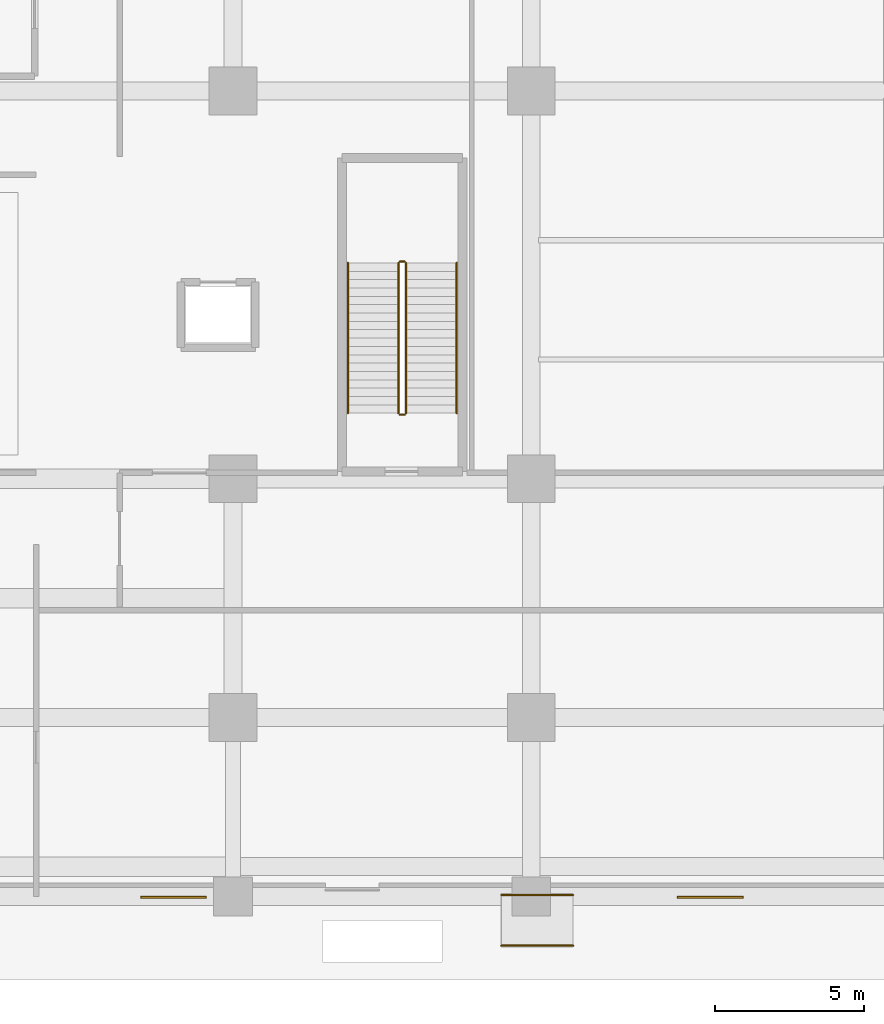
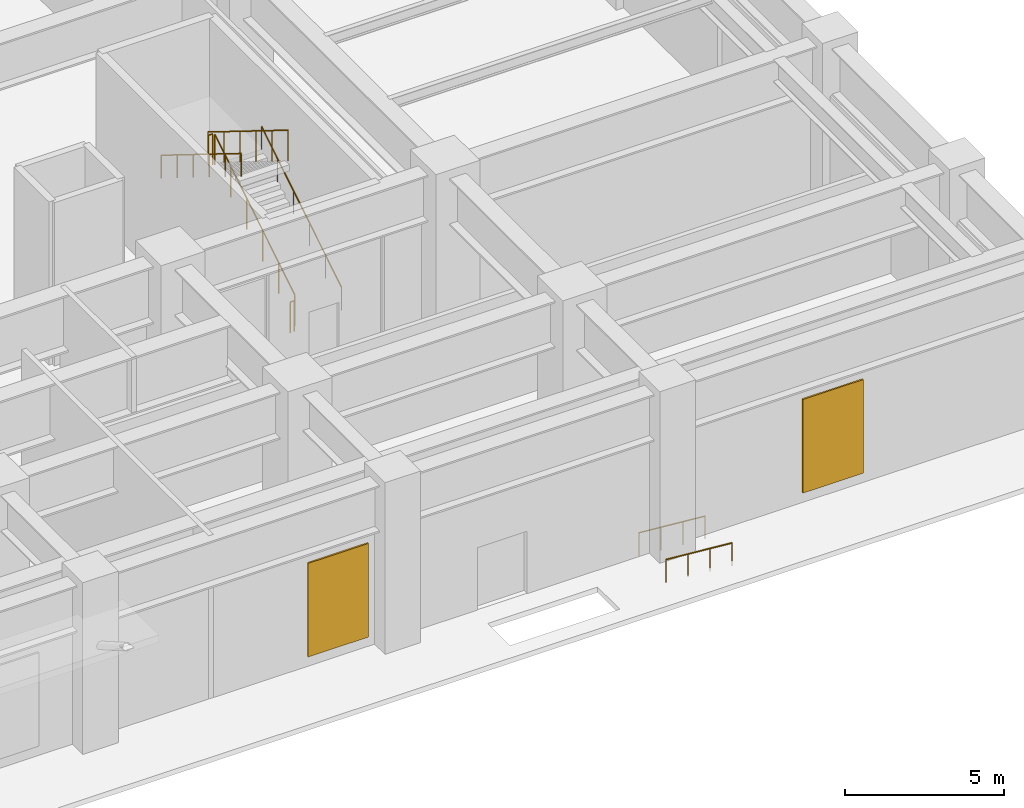
# One storey, part 19 of 21: 8 railings, 2 coverings.
"""IFC4 building model written with IfcOpenShell, lengths in metres."""

from ifc_helpers import new_model, si_unit, direction, frame, origin, origin_2d, place, context, subcontext, project, spatial, rectangle, circle, extrude, source, transform, mapped, material, layer, layer_set, type_object, element, save


model = new_model("IFC4")

# Units and contexts
model_context = context("Model", 3, precision=1e-05, world=origin(), true_north=direction((0.0, 1.0)))
body_context = subcontext(model_context, "Body", "Model", "MODEL_VIEW")
ifc_project = project(units=[si_unit("LENGTHUNIT", "METRE"), si_unit("AREAUNIT", "SQUARE_METRE"), si_unit("VOLUMEUNIT", "CUBIC_METRE"), si_unit("PLANEANGLEUNIT", "RADIAN"), si_unit("MASSUNIT", "GRAM", prefix="KILO")], contexts=[model_context])

# Site, building, storey
site_placement = place(None, origin())
site = spatial("IfcSite", under=ifc_project, at=site_placement, CompositionType="ELEMENT")
building_placement = place(site_placement, origin())
building = spatial("IfcBuilding", under=site, at=building_placement, Name="Khorayat Bourse Tower", CompositionType="ELEMENT")
storey_placement = place(building_placement, origin())
storey = spatial("IfcBuildingStorey", under=building, at=storey_placement, Name="L00", CompositionType="ELEMENT", Elevation=0.0)

# Coverings
ifc_material_1 = material(Name="Honed Omani desert limestone cladding", Category="masonry")
ifc_layer = layer(ifc_material_1, 0.06005859375)
ifc_layer_set = layer_set([ifc_layer], Name="Honed Omani desert limestone cladding")
covering_type = type_object("IfcCoveringType", Name="COV-CLAD-STONE", PredefinedType="CLADDING", material=ifc_layer_set)
shared_shape_1 = source(origin(), body_context, "Body", "SweptSolid", [
    extrude(rectangle(XDim=2.199951171875, YDim=0.06005859375, at=origin_2d()), origin(), (0.0, 0.0, 1.0), 3.60009765625),
])
for number, where, z_axis, x_axis, name in (
    (1, (20.0, -38.030029296875, 0.39990234375), (0.0, 0.0, 1.0), (1.0, 0.0, 0.0), "L00 Honed Limestone Pier Cladding 5"),
    (2, (38.0, -38.030029296875, 0.39990234375), (0.0, 0.0, 1.0), (1.0, 0.0, 0.0), "L00 Honed Limestone Pier Cladding 6"),
):
    element("IfcCovering", number, at=place(storey_placement, frame(where, z_axis=z_axis, x_axis=x_axis)), inside=storey, type_object=covering_type, Name=name, PredefinedType="CLADDING", context=body_context, shape_type="MappedRepresentation", body=[
        mapped(shared_shape_1, transform((0.0, 0.0, 0.0), scale=1.0)),
    ])

# Railings
ifc_material_2 = material(Name="Powder-coated steel balustrade", Category="steel")
railing_type_1 = type_object("IfcRailingType", Name="RLG-GUARD-1200", PredefinedType="GUARDRAIL", material=ifc_material_2)
shared_shape_2 = source(origin(), body_context, "Body", "SweptSolid", [
    extrude(circle(Radius=0.02392578125, at=origin_2d()), frame((0.0, 0.0, 1.17578125), z_axis=(0.0, 0.849778785312, 0.527139465448), x_axis=(-1.0, 0.0, 0.0)), (0.0, 0.0, 1.0), 5.930908203125),
    extrude(circle(Radius=0.02099609375, at=origin_2d()), origin(), (0.0, 0.0, 1.0), 1.15185546875),
    extrude(circle(Radius=0.02099609375, at=origin_2d()), frame((0.0, 1.008056640625, 0.625244140625)), (0.0, 0.0, 1.0), 1.15185546875),
    extrude(circle(Radius=0.02099609375, at=origin_2d()), frame((0.0, 2.01611328125, 1.25048828125)), (0.0, 0.0, 1.0), 1.15185546875),
    extrude(circle(Radius=0.02099609375, at=origin_2d()), frame((0.0, 3.02392578125, 1.8759765625)), (0.0, 0.0, 1.0), 1.15185546875),
    extrude(circle(Radius=0.02099609375, at=origin_2d()), frame((0.0, 4.031982421875, 2.501220703125)), (0.0, 0.0, 1.0), 1.15185546875),
    extrude(circle(Radius=0.02099609375, at=origin_2d()), frame((0.0, 5.0400390625, 3.12646484375)), (0.0, 0.0, 1.0), 1.15185546875),
])
railing_1_placement = place(storey_placement, frame((27.800048828125, -21.800048828125, 0.173583984375)))
element("IfcRailing", 3, at=railing_1_placement, inside=storey, type_object=railing_type_1, Name="L00 ST-P2 stair guard 1", PredefinedType="GUARDRAIL", context=body_context, shape_type="MappedRepresentation", body=[
    mapped(shared_shape_2, transform((0.0, 0.0, 0.0), scale=1.0)),
])
shared_shape_3 = source(origin(), body_context, "Body", "SweptSolid", [
    extrude(circle(Radius=0.02392578125, at=origin_2d()), frame((0.0, 0.0, 1.17578125), z_axis=(0.0, -0.849778785312, 0.527139465448), x_axis=(1.0, 0.0, 0.0)), (0.0, 0.0, 1.0), 5.930908203125),
    extrude(circle(Radius=0.02099609375, at=origin_2d()), origin(), (0.0, 0.0, 1.0), 1.15185546875),
    extrude(circle(Radius=0.02099609375, at=origin_2d()), frame((0.0, -1.008056640625, 0.625244140625)), (0.0, 0.0, 1.0), 1.15185546875),
    extrude(circle(Radius=0.02099609375, at=origin_2d()), frame((0.0, -2.01611328125, 1.25048828125)), (0.0, 0.0, 1.0), 1.15185546875),
    extrude(circle(Radius=0.02099609375, at=origin_2d()), frame((0.0, -3.02392578125, 1.8759765625)), (0.0, 0.0, 1.0), 1.15185546875),
    extrude(circle(Radius=0.02099609375, at=origin_2d()), frame((0.0, -4.031982421875, 2.501220703125)), (0.0, 0.0, 1.0), 1.15185546875),
    extrude(circle(Radius=0.02099609375, at=origin_2d()), frame((0.0, -5.0400390625, 3.12646484375)), (0.0, 0.0, 1.0), 1.15185546875),
])
railing_2_placement = place(storey_placement, frame((27.550048828125, -16.760009765625, 3.4736328125)))
element("IfcRailing", 4, at=railing_2_placement, inside=storey, type_object=railing_type_1, Name="L00 ST-P2 stair guard 3", PredefinedType="GUARDRAIL", context=body_context, shape_type="MappedRepresentation", body=[
    mapped(shared_shape_3, transform((0.0, 0.0, 0.0), scale=1.0)),
])
ifc_material_3 = material(Name="Brushed bronze stainless-steel handrail", Category="steel")
railing_type_2 = type_object("IfcRailingType", Name="RLG-HAND-900", PredefinedType="HANDRAIL", material=ifc_material_3)
shared_shape_4 = source(origin(), body_context, "Body", "SweptSolid", [
    extrude(circle(Radius=0.02392578125, at=origin_2d()), frame((0.0, 0.0, 0.8759765625), z_axis=(0.0, 0.849778785312, 0.527139465448), x_axis=(-1.0, 0.0, 0.0)), (0.0, 0.0, 1.0), 5.930908203125),
    extrude(circle(Radius=0.02099609375, at=origin_2d()), origin(), (0.0, 0.0, 1.0), 0.851806640625),
    extrude(circle(Radius=0.02099609375, at=origin_2d()), frame((0.0, 1.008056640625, 0.625244140625)), (0.0, 0.0, 1.0), 0.851806640625),
    extrude(circle(Radius=0.02099609375, at=origin_2d()), frame((0.0, 2.01611328125, 1.25048828125)), (0.0, 0.0, 1.0), 0.851806640625),
    extrude(circle(Radius=0.02099609375, at=origin_2d()), frame((0.0, 3.02392578125, 1.8759765625)), (0.0, 0.0, 1.0), 0.851806640625),
    extrude(circle(Radius=0.02099609375, at=origin_2d()), frame((0.0, 4.031982421875, 2.501220703125)), (0.0, 0.0, 1.0), 0.851806640625),
    extrude(circle(Radius=0.02099609375, at=origin_2d()), frame((0.0, 5.0400390625, 3.12646484375)), (0.0, 0.0, 1.0), 0.851806640625),
])
railing_3_placement = place(storey_placement, frame((29.5, -21.800048828125, 0.173583984375)))
element("IfcRailing", 5, at=railing_3_placement, inside=storey, type_object=railing_type_2, Name="L00 ST-P2 stair handrail 1", PredefinedType="HANDRAIL", context=body_context, shape_type="MappedRepresentation", body=[
    mapped(shared_shape_4, transform((0.0, 0.0, 0.0), scale=1.0)),
])
shared_shape_5 = source(origin(), body_context, "Body", "SweptSolid", [
    extrude(circle(Radius=0.02392578125, at=origin_2d()), frame((0.0, 0.0, 0.8759765625), z_axis=(0.0, -0.849778785312, 0.527139465448), x_axis=(1.0, 0.0, 0.0)), (0.0, 0.0, 1.0), 5.930908203125),
    extrude(circle(Radius=0.02099609375, at=origin_2d()), origin(), (0.0, 0.0, 1.0), 0.851806640625),
    extrude(circle(Radius=0.02099609375, at=origin_2d()), frame((0.0, -1.008056640625, 0.625244140625)), (0.0, 0.0, 1.0), 0.851806640625),
    extrude(circle(Radius=0.02099609375, at=origin_2d()), frame((0.0, -2.01611328125, 1.25048828125)), (0.0, 0.0, 1.0), 0.851806640625),
    extrude(circle(Radius=0.02099609375, at=origin_2d()), frame((0.0, -3.02392578125, 1.8759765625)), (0.0, 0.0, 1.0), 0.851806640625),
    extrude(circle(Radius=0.02099609375, at=origin_2d()), frame((0.0, -4.031982421875, 2.501220703125)), (0.0, 0.0, 1.0), 0.851806640625),
    extrude(circle(Radius=0.02099609375, at=origin_2d()), frame((0.0, -5.0400390625, 3.12646484375)), (0.0, 0.0, 1.0), 0.851806640625),
])
railing_4_placement = place(storey_placement, frame((25.85009765625, -16.760009765625, 3.4736328125)))
element("IfcRailing", 6, at=railing_4_placement, inside=storey, type_object=railing_type_2, Name="L00 ST-P2 stair handrail 2", PredefinedType="HANDRAIL", context=body_context, shape_type="MappedRepresentation", body=[
    mapped(shared_shape_5, transform((0.0, 0.0, 0.0), scale=1.0)),
])
shared_shape_6 = source(origin(), body_context, "Body", "SweptSolid", [
    extrude(circle(Radius=0.02392578125, at=origin_2d()), frame((0.0, 0.0, 1.17578125), z_axis=(-1.0, 0.0, 0.0), x_axis=(0.0, -1.0, 0.0)), (0.0, 0.0, 1.0), 0.14990234375),
    extrude(circle(Radius=0.02099609375, at=origin_2d()), origin(), (0.0, 0.0, 1.0), 1.15185546875),
    extrude(circle(Radius=0.02099609375, at=origin_2d()), frame((-0.14990234375, 0.0, 0.0)), (0.0, 0.0, 1.0), 1.15185546875),
])
for number, where, name in (
    (7, (27.75, -16.7099609375, 3.300048828125), "L00 ST-P2 stair guard 2"),
    (8, (27.75, -21.85009765625, 0.0), "L00 ST-P2 stair guard 4"),
):
    element("IfcRailing", number, at=place(storey_placement, frame(where)), inside=storey, type_object=railing_type_1, Name=name, PredefinedType="GUARDRAIL", context=body_context, shape_type="MappedRepresentation", body=[
        mapped(shared_shape_6, transform((0.0, 0.0, 0.0), scale=1.0)),
    ])
shared_shape_7 = source(origin(), body_context, "Body", "SweptSolid", [
    extrude(circle(Radius=0.02392578125, at=origin_2d()), frame((0.0, 0.0, 0.8759765625), z_axis=(-0.996547156423, 0.0, 0.083028700011), x_axis=(0.0, -1.0, 0.0)), (0.0, 0.0, 1.0), 2.408203125),
    extrude(circle(Radius=0.02099609375, at=origin_2d()), origin(), (0.0, 0.0, 1.0), 0.851806640625),
    extrude(circle(Radius=0.02099609375, at=origin_2d()), frame((-0.800048828125, 0.0, 0.066650390625)), (0.0, 0.0, 1.0), 0.851806640625),
    extrude(circle(Radius=0.02099609375, at=origin_2d()), frame((-1.599853515625, 0.0, 0.13330078125)), (0.0, 0.0, 1.0), 0.851806640625),
    extrude(circle(Radius=0.02099609375, at=origin_2d()), frame((-2.39990234375, 0.0, 0.199951171875)), (0.0, 0.0, 1.0), 0.851806640625),
])
for number, where, name in (
    (9, (33.39990234375, -39.64990234375, -0.199951171875), "East Retail Forecourt Accessible Ramp Handrail 1"),
    (10, (33.39990234375, -37.949951171875, -0.199951171875), "East Retail Forecourt Accessible Ramp Handrail 2"),
):
    element("IfcRailing", number, at=place(storey_placement, frame(where)), inside=storey, type_object=railing_type_2, Name=name, PredefinedType="HANDRAIL", context=body_context, shape_type="MappedRepresentation", body=[
        mapped(shared_shape_7, transform((0.0, 0.0, 0.0), scale=1.0)),
    ])

save(model, "model.ifc")
